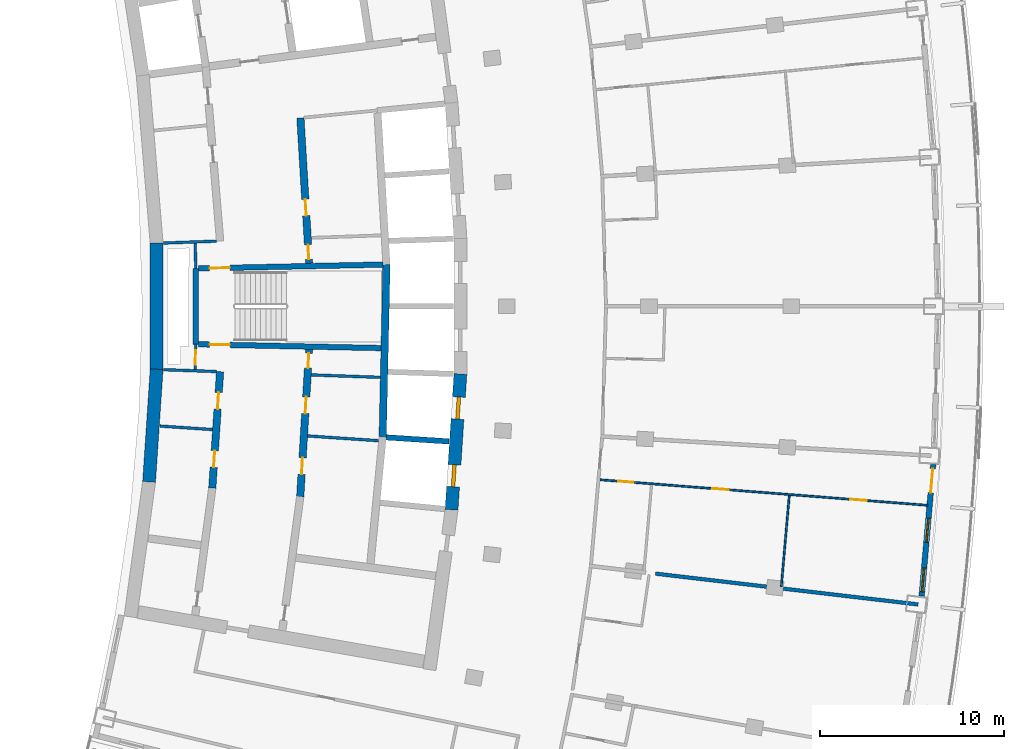
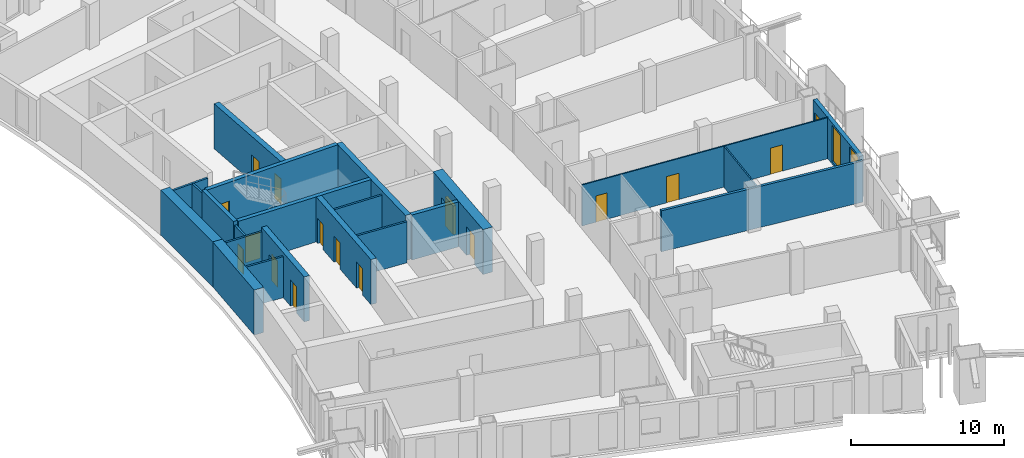
# One storey, part 13 of 20: 22 walls, 16 doors, 2 windows, 18 openings.
"""IFC4 building model written with IfcOpenShell, lengths in metres."""

from ifc_helpers import new_model, si_unit, direction, frame, frame_2d, origin, place, context, subcontext, project, spatial, rectangle, extrude, material, layer, layer_set, type_object, element, fill, save


model = new_model("IFC4")

# Units and contexts
model_context = context("Model", 3, precision=1e-05, world=origin(), true_north=direction((0.0, 1.0)))
body_context = subcontext(model_context, "Body", "Model", "MODEL_VIEW")
ifc_project = project(units=[si_unit("LENGTHUNIT", "METRE"), si_unit("AREAUNIT", "SQUARE_METRE"), si_unit("VOLUMEUNIT", "CUBIC_METRE"), si_unit("PLANEANGLEUNIT", "RADIAN"), si_unit("MASSUNIT", "GRAM", prefix="KILO")], contexts=[model_context])

# Site, building, storey
site_placement = place(None, origin())
site = spatial("IfcSite", under=ifc_project, at=site_placement, CompositionType="ELEMENT")
building_placement = place(site_placement, origin())
building = spatial("IfcBuilding", under=site, at=building_placement, Name="Alderwake Tower", CompositionType="ELEMENT")
storey_placement = place(building_placement, frame((0.0, 0.0, 178.39990234375)))
storey = spatial("IfcBuildingStorey", under=building, at=storey_placement, Name="L44", CompositionType="ELEMENT", Elevation=178.39990234375)

# Wall
ifc_material_1 = material(Name="Gypsum shaft wall system, rated")
ifc_layer_1 = layer(ifc_material_1, 0.14990234375)
ifc_layer_set_1 = layer_set([ifc_layer_1], Name="Core riser partition 150")
wall_type_1 = type_object("IfcWallType", Name="Core riser partition 150", PredefinedType="PARTITIONING", material=ifc_layer_set_1)
wall_1_placement = place(storey_placement, frame((25.1904296875, 57.276611328125, 0.0), z_axis=(0.0, 0.0, 1.0), x_axis=(0.99937350076, -0.035392173974, 0.0)))
element("IfcWall", 1, at=wall_1_placement, inside=storey, type_object=wall_type_1, Name="CW/L44/PR-37_+86", PredefinedType="PARTITIONING", context=body_context, shape_type="SweptSolid", body=[
    extrude(rectangle(XDim=3.752685546875, YDim=0.14990234375, at=frame_2d((1.87646484375, 0.0))), origin(), (0.0, 0.0, 1.0), 3.280029296875),
])

# Wall, opening, door
ifc_material_2 = material(Name="Gypsum shaft wall system, rated")
ifc_layer_2 = layer(ifc_material_2, 0.14990234375)
ifc_layer_set_2 = layer_set([ifc_layer_2], Name="Core room partition 150")
wall_type_2 = type_object("IfcWallType", Name="Core room partition 150", PredefinedType="PARTITIONING", material=ifc_layer_set_2)
wall_2_placement = place(storey_placement, frame((18.918701171875, 58.94384765625, 0.0), z_axis=(0.0, 0.0, 1.0), x_axis=(-0.027811602725, -0.999613182563, 0.0)))
wall_2 = element("IfcWall", 2, at=wall_2_placement, inside=storey, type_object=wall_type_2, Name="CW/L44/PA+24_-37", PredefinedType="PARTITIONING", context=body_context, shape_type="SweptSolid", body=[
    extrude(rectangle(XDim=1.369384765625, YDim=0.14990234375, at=frame_2d((0.6845703125, 0.0))), origin(), (0.0, 0.0, 1.0), 3.280029296875),
])
opening_1_placement = place(wall_2_placement, frame((0.322998046875, 0.0, 0.0)))
opening_1 = element("IfcOpeningElement", 3, at=opening_1_placement, cuts=wall_2, Name="Opening C004", PredefinedType="OPENING", context=body_context, shape_type="SweptSolid", body=[
    extrude(rectangle(XDim=0.800048828125, YDim=2.0, at=frame_2d((0.39990234375, 1.0))), frame((0.0, 0.0849609375, 0.0), z_axis=(0.0, -1.0, 0.0), x_axis=(1.0, 0.0, 0.0)), (0.0, 0.0, 1.0), 0.169921875),
])
ifc_material_3 = material(Name="Painted steel leaf, rated", Category="steel")
door_type_1 = type_object("IfcDoorType", Name="Riser access door 800", OperationType="SINGLE_SWING_LEFT", PredefinedType="DOOR", material=ifc_material_3)
door_1_placement = place(opening_1_placement, origin())
door_1 = element("IfcDoor", 4, at=door_1_placement, inside=storey, type_object=door_type_1, Name="Riser access door", OperationType="SINGLE_SWING_RIGHT", OverallHeight=2.0, OverallWidth=0.800048828125, PredefinedType="DOOR", context=body_context, shape_type="SweptSolid", body=[
    extrude(rectangle(XDim=0.800048828125, YDim=2.0, at=frame_2d((0.39990234375, 1.0))), frame((0.0, 0.02490234375, 0.0), z_axis=(0.0, -1.0, 0.0), x_axis=(1.0, 0.0, 0.0)), (0.0, 0.0, 1.0), 0.050048828125),
])
fill(opening_1, door_1)

# Walls
wall_3_placement = place(storey_placement, frame((18.918701171875, 63.05517578125, 0.0), z_axis=(0.0, 0.0, 1.0), x_axis=(-0.027791791559, 0.99961373356, 0.0)))
element("IfcWall", 5, at=wall_3_placement, inside=storey, type_object=wall_type_2, Name="CW/L44/PA+24_+22", PredefinedType="PARTITIONING", context=body_context, shape_type="SweptSolid", body=[
    extrude(rectangle(XDim=1.370361328125, YDim=0.14990234375, at=frame_2d((0.68505859375, 0.0))), origin(), (0.0, 0.0, 1.0), 3.280029296875),
])
wall_4_placement = place(storey_placement, frame((16.964111328125, 54.49951171875, 0.0), z_axis=(0.0, 0.0, 1.0), x_axis=(0.997759473015, -0.066903168895, 0.0)))
element("IfcWall", 6, at=wall_4_placement, inside=storey, type_object=wall_type_2, Name="CW/L44/PR-70_+0", PredefinedType="PARTITIONING", context=body_context, shape_type="SweptSolid", body=[
    extrude(rectangle(XDim=2.8681640625, YDim=0.14990234375, at=frame_2d((1.43408203125, 0.0))), origin(), (0.0, 0.0, 1.0), 3.280029296875),
])
wall_5_placement = place(storey_placement, frame((24.990234375, 53.96142578125, 0.0), z_axis=(0.0, 0.0, 1.0), x_axis=(0.997758824467, -0.06691284031, 0.0)))
element("IfcWall", 7, at=wall_5_placement, inside=storey, type_object=wall_type_2, Name="CW/L44/PR-70_+86", PredefinedType="PARTITIONING", context=body_context, shape_type="SweptSolid", body=[
    extrude(rectangle(XDim=3.86767578125, YDim=0.14990234375, at=frame_2d((1.933837890625, 0.0))), origin(), (0.0, 0.0, 1.0), 3.280029296875),
])
wall_6_placement = place(storey_placement, frame((17.169189453125, 57.560546875, 0.0), z_axis=(0.0, 0.0, 1.0), x_axis=(0.999373538371, -0.03539111194, 0.0)))
element("IfcWall", 8, at=wall_6_placement, inside=storey, type_object=wall_type_2, Name="CW/L44/PR-37_+0", PredefinedType="PARTITIONING", context=body_context, shape_type="SweptSolid", body=[
    extrude(rectangle(XDim=2.86962890625, YDim=0.14990234375, at=frame_2d((1.434814453125, 0.0))), origin(), (0.0, 0.0, 1.0), 3.280029296875),
])
wall_7_placement = place(storey_placement, frame((17.16943359375, 64.439453125, 0.0), z_axis=(0.0, 0.0, 1.0), x_axis=(0.999373431798, 0.035394121201, 0.0)))
element("IfcWall", 9, at=wall_7_placement, inside=storey, type_object=wall_type_2, Name="CW/L44/PR+37_+0", PredefinedType="PARTITIONING", context=body_context, shape_type="SweptSolid", body=[
    extrude(rectangle(XDim=2.869384765625, YDim=0.14990234375, at=frame_2d((1.4345703125, 0.0))), origin(), (0.0, 0.0, 1.0), 3.280029296875),
])
ifc_material_4 = material(Name="Concrete C70/85", Category="concrete")
ifc_layer_3 = layer(ifc_material_4, 0.699951171875)
ifc_layer_set_3 = layer_set([ifc_layer_3], Name="Core wall outer 700 C70-85")
wall_type_3 = type_object("IfcWallType", Name="Core wall outer 700 C70-85", PredefinedType="SHEAR", material=ifc_layer_set_3)
wall_8_placement = place(storey_placement, frame((16.379638671875, 51.46337890625, 0.0), z_axis=(0.0, 0.0, 1.0), x_axis=(0.066917731608, 0.997758496429, 0.0)))
element("IfcWall", 10, at=wall_8_placement, inside=storey, type_object=wall_type_3, Name="Core wall CW.041", PredefinedType="SHEAR", context=body_context, shape_type="SweptSolid", body=[
    extrude(rectangle(XDim=6.136474609375, YDim=0.699951171875, at=frame_2d((3.068359375, 0.0))), origin(), (0.0, 0.0, 1.0), 3.60009765625),
])
wall_9_placement = place(storey_placement, frame((16.789306640625, 57.561767578125, 0.0), z_axis=(0.0, 0.0, 1.0), x_axis=(0.0, 1.0, 0.0)))
element("IfcWall", 11, at=wall_9_placement, inside=storey, type_object=wall_type_3, Name="Core wall CW.043", PredefinedType="SHEAR", context=body_context, shape_type="SweptSolid", body=[
    extrude(rectangle(XDim=6.87939453125, YDim=0.699951171875, at=frame_2d((3.439697265625, 0.0))), origin(), (0.0, 0.0, 1.0), 3.60009765625),
])

# Wall, openings, doors
wall_10_placement = place(storey_placement, frame((32.810302734375, 49.9482421875, 0.0), z_axis=(0.0, 0.0, 1.0), x_axis=(0.065009096017, 0.99788467141, 0.0)))
wall_10 = element("IfcWall", 12, at=wall_10_placement, inside=storey, type_object=wall_type_3, Name="Core wall CW.011", PredefinedType="SHEAR", context=body_context, shape_type="SweptSolid", body=[
    extrude(rectangle(XDim=7.39453125, YDim=0.699951171875, at=frame_2d((3.697265625, 0.0))), origin(), (0.0, 0.0, 1.0), 3.60009765625),
])
opening_2_placement = place(wall_10_placement, frame((1.255126953125, 0.0, 0.0)))
opening_2 = element("IfcOpeningElement", 13, at=opening_2_placement, cuts=wall_10, Name="Opening LD-HP1", PredefinedType="OPENING", context=body_context, shape_type="SweptSolid", body=[
    extrude(rectangle(XDim=1.199951171875, YDim=2.300048828125, at=frame_2d((0.60009765625, 1.14990234375))), frame((0.0, 0.35986328125, 0.0), z_axis=(0.0, -1.0, 0.0), x_axis=(1.0, 0.0, 0.0)), (0.0, 0.0, 1.0), 0.719970703125),
])
opening_3_placement = place(wall_10_placement, frame((4.9404296875, 0.0, 0.0)))
opening_3 = element("IfcOpeningElement", 14, at=opening_3_placement, cuts=wall_10, Name="Opening LD-HP2", PredefinedType="OPENING", context=body_context, shape_type="SweptSolid", body=[
    extrude(rectangle(XDim=1.199951171875, YDim=2.300048828125, at=frame_2d((0.60009765625, 1.14990234375))), frame((0.0, 0.35986328125, 0.0), z_axis=(0.0, -1.0, 0.0), x_axis=(1.0, 0.0, 0.0)), (0.0, 0.0, 1.0), 0.719970703125),
])
ifc_material_5 = material(Name="Stainless steel sliding leaf", Category="steel")
door_type_2 = type_object("IfcDoorType", Name="Lift landing door 1200", OperationType="SLIDING_TO_LEFT", PredefinedType="DOOR", material=ifc_material_5)
door_2_placement = place(opening_2_placement, origin())
door_2 = element("IfcDoor", 15, at=door_2_placement, inside=storey, type_object=door_type_2, Name="Lift landing door HP1", OperationType="SLIDING_TO_LEFT", OverallHeight=2.300048828125, OverallWidth=1.199951171875, PredefinedType="DOOR", context=body_context, shape_type="SweptSolid", body=[
    extrude(rectangle(XDim=1.199951171875, YDim=2.300048828125, at=frame_2d((0.60009765625, 1.14990234375))), frame((0.0, 0.10009765625, 0.0), z_axis=(0.0, -1.0, 0.0), x_axis=(1.0, 0.0, 0.0)), (0.0, 0.0, 1.0), 0.199951171875),
])
fill(opening_2, door_2)
door_3_placement = place(opening_3_placement, origin())
door_3 = element("IfcDoor", 16, at=door_3_placement, inside=storey, type_object=door_type_2, Name="Lift landing door HP2", OperationType="SLIDING_TO_LEFT", OverallHeight=2.300048828125, OverallWidth=1.199951171875, PredefinedType="DOOR", context=body_context, shape_type="SweptSolid", body=[
    extrude(rectangle(XDim=1.199951171875, YDim=2.300048828125, at=frame_2d((0.60009765625, 1.14990234375))), frame((0.0, 0.10009765625, 0.0), z_axis=(0.0, -1.0, 0.0), x_axis=(1.0, 0.0, 0.0)), (0.0, 0.0, 1.0), 0.199951171875),
])
fill(opening_3, door_3)

# Wall
ifc_material_6 = material(Name="Concrete C70/85", Category="concrete")
ifc_layer_4 = layer(ifc_material_6, 0.300048828125)
ifc_layer_set_4 = layer_set([ifc_layer_4], Name="Core wall shaft 300 C70-85")
wall_type_4 = type_object("IfcWallType", Name="Core wall shaft 300 C70-85", PredefinedType="SHEAR", material=ifc_layer_set_4)
wall_11_placement = place(storey_placement, frame((29.268798828125, 53.884521484375, 0.0), z_axis=(0.0, 0.0, 1.0), x_axis=(0.997884450261, -0.065012490553, 0.0)))
element("IfcWall", 17, at=wall_11_placement, inside=storey, type_object=wall_type_4, Name="Core wall CW.078", PredefinedType="SHEAR", context=body_context, shape_type="SweptSolid", body=[
    extrude(rectangle(XDim=3.409912109375, YDim=0.300048828125, at=frame_2d((1.705078125, 0.0))), origin(), (0.0, 0.0, 1.0), 3.60009765625),
])

# Wall, openings, doors
ifc_material_7 = material(Name="Concrete C70/85", Category="concrete")
ifc_layer_5 = layer(ifc_material_7, 0.39990234375)
ifc_layer_set_5 = layer_set([ifc_layer_5], Name="Core wall spine 400 C70-85")
wall_type_5 = type_object("IfcWallType", Name="Core wall spine 400 C70-85", PredefinedType="SHEAR", material=ifc_layer_set_5)
wall_12_placement = place(storey_placement, frame((20.2373046875, 57.451904296875, 0.0), z_axis=(0.0, 0.0, 1.0), x_axis=(-0.066887252767, -0.997760540118, 0.0)))
wall_12 = element("IfcWall", 18, at=wall_12_placement, inside=storey, type_object=wall_type_5, Name="Core wall CW.032", PredefinedType="SHEAR", context=body_context, shape_type="SweptSolid", body=[
    extrude(rectangle(XDim=6.33642578125, YDim=0.39990234375, at=frame_2d((3.168212890625, 0.0))), origin(), (0.0, 0.0, 1.0), 3.60009765625),
])
opening_4_placement = place(wall_12_placement, frame((4.29736328125, 0.0, 0.0)))
opening_4 = element("IfcOpeningElement", 19, at=opening_4_placement, cuts=wall_12, Name="Opening C038", PredefinedType="OPENING", context=body_context, shape_type="SweptSolid", body=[
    extrude(rectangle(XDim=0.89990234375, YDim=2.10009765625, at=frame_2d((0.449951171875, 1.050048828125))), frame((0.0, 0.2099609375, 0.0), z_axis=(0.0, -1.0, 0.0), x_axis=(1.0, 0.0, 0.0)), (0.0, 0.0, 1.0), 0.419921875),
])
opening_5_placement = place(wall_12_placement, frame((1.132080078125, 0.0, 0.0)))
opening_5 = element("IfcOpeningElement", 20, at=opening_5_placement, cuts=wall_12, Name="Opening C042", PredefinedType="OPENING", context=body_context, shape_type="SweptSolid", body=[
    extrude(rectangle(XDim=0.89990234375, YDim=2.10009765625, at=frame_2d((0.449951171875, 1.050048828125))), frame((0.0, 0.2099609375, 0.0), z_axis=(0.0, -1.0, 0.0), x_axis=(1.0, 0.0, 0.0)), (0.0, 0.0, 1.0), 0.419921875),
])
ifc_material_8 = material(Name="Painted steel leaf", Category="steel")
door_type_3 = type_object("IfcDoorType", Name="Core room door 900", OperationType="SINGLE_SWING_LEFT", PredefinedType="DOOR", material=ifc_material_8)
door_4_placement = place(opening_4_placement, origin())
door_4 = element("IfcDoor", 21, at=door_4_placement, inside=storey, type_object=door_type_3, Name="Room door", OperationType="SINGLE_SWING_RIGHT", OverallHeight=2.10009765625, OverallWidth=0.89990234375, PredefinedType="DOOR", context=body_context, shape_type="SweptSolid", body=[
    extrude(rectangle(XDim=0.89990234375, YDim=2.10009765625, at=frame_2d((0.449951171875, 1.050048828125))), frame((0.0, 0.02490234375, 0.0), z_axis=(0.0, -1.0, 0.0), x_axis=(1.0, 0.0, 0.0)), (0.0, 0.0, 1.0), 0.050048828125),
])
fill(opening_4, door_4)
door_5_placement = place(opening_5_placement, origin())
door_5 = element("IfcDoor", 22, at=door_5_placement, inside=storey, type_object=door_type_3, Name="Room door", OperationType="SINGLE_SWING_LEFT", OverallHeight=2.10009765625, OverallWidth=0.89990234375, PredefinedType="DOOR", context=body_context, shape_type="SweptSolid", body=[
    extrude(rectangle(XDim=0.89990234375, YDim=2.10009765625, at=frame_2d((0.449951171875, 1.050048828125))), frame((0.0, 0.02490234375, 0.0), z_axis=(0.0, -1.0, 0.0), x_axis=(1.0, 0.0, 0.0)), (0.0, 0.0, 1.0), 0.050048828125),
])
fill(opening_5, door_5)

wall_13_placement = place(storey_placement, frame((24.590087890625, 50.656982421875, 0.0), z_axis=(0.0, 0.0, 1.0), x_axis=(0.060320473855, 0.99817906231, 0.0)))
wall_13 = element("IfcWall", 23, at=wall_13_placement, inside=storey, type_object=wall_type_5, Name="Core wall CW.046", PredefinedType="SHEAR", context=body_context, shape_type="SweptSolid", body=[
    extrude(rectangle(XDim=8.02197265625, YDim=0.39990234375, at=frame_2d((4.010986328125, 0.0))), origin(), (0.0, 0.0, 1.0), 3.60009765625),
])
opening_6_placement = place(wall_13_placement, frame((7.005859375, 0.0, 0.0)))
opening_6 = element("IfcOpeningElement", 24, at=opening_6_placement, cuts=wall_13, Name="Opening C006", PredefinedType="OPENING", context=body_context, shape_type="SweptSolid", body=[
    extrude(rectangle(XDim=0.800048828125, YDim=2.0, at=frame_2d((0.39990234375, 1.0))), frame((0.0, 0.2099609375, 0.0), z_axis=(0.0, -1.0, 0.0), x_axis=(1.0, 0.0, 0.0)), (0.0, 0.0, 1.0), 0.419921875),
])
opening_7_placement = place(wall_13_placement, frame((1.21533203125, 0.0, 0.0)))
opening_7 = element("IfcOpeningElement", 25, at=opening_7_placement, cuts=wall_13, Name="Opening C044", PredefinedType="OPENING", context=body_context, shape_type="SweptSolid", body=[
    extrude(rectangle(XDim=0.89990234375, YDim=2.10009765625, at=frame_2d((0.449951171875, 1.050048828125))), frame((0.0, 0.2099609375, 0.0), z_axis=(0.0, -1.0, 0.0), x_axis=(1.0, 0.0, 0.0)), (0.0, 0.0, 1.0), 0.419921875),
])
opening_8_placement = place(wall_13_placement, frame((4.53173828125, 0.0, 0.0)))
opening_8 = element("IfcOpeningElement", 26, at=opening_8_placement, cuts=wall_13, Name="Opening C048", PredefinedType="OPENING", context=body_context, shape_type="SweptSolid", body=[
    extrude(rectangle(XDim=0.89990234375, YDim=2.10009765625, at=frame_2d((0.449951171875, 1.050048828125))), frame((0.0, 0.2099609375, 0.0), z_axis=(0.0, -1.0, 0.0), x_axis=(1.0, 0.0, 0.0)), (0.0, 0.0, 1.0), 0.419921875),
])
door_6_placement = place(opening_7_placement, origin())
door_6 = element("IfcDoor", 27, at=door_6_placement, inside=storey, type_object=door_type_3, Name="Room door", OperationType="SINGLE_SWING_RIGHT", OverallHeight=2.10009765625, OverallWidth=0.89990234375, PredefinedType="DOOR", context=body_context, shape_type="SweptSolid", body=[
    extrude(rectangle(XDim=0.89990234375, YDim=2.10009765625, at=frame_2d((0.449951171875, 1.050048828125))), frame((0.0, 0.02490234375, 0.0), z_axis=(0.0, -1.0, 0.0), x_axis=(1.0, 0.0, 0.0)), (0.0, 0.0, 1.0), 0.050048828125),
])
fill(opening_7, door_6)
door_7_placement = place(opening_8_placement, origin())
door_7 = element("IfcDoor", 28, at=door_7_placement, inside=storey, type_object=door_type_3, Name="Room door", OperationType="SINGLE_SWING_LEFT", OverallHeight=2.10009765625, OverallWidth=0.89990234375, PredefinedType="DOOR", context=body_context, shape_type="SweptSolid", body=[
    extrude(rectangle(XDim=0.89990234375, YDim=2.10009765625, at=frame_2d((0.449951171875, 1.050048828125))), frame((0.0, 0.02490234375, 0.0), z_axis=(0.0, -1.0, 0.0), x_axis=(1.0, 0.0, 0.0)), (0.0, 0.0, 1.0), 0.050048828125),
])
fill(opening_8, door_7)
door_8_placement = place(opening_6_placement, origin())
door_8 = element("IfcDoor", 29, at=door_8_placement, inside=storey, type_object=door_type_1, Name="Riser access door", OperationType="SINGLE_SWING_RIGHT", OverallHeight=2.0, OverallWidth=0.800048828125, PredefinedType="DOOR", context=body_context, shape_type="SweptSolid", body=[
    extrude(rectangle(XDim=0.800048828125, YDim=2.0, at=frame_2d((0.39990234375, 1.0))), frame((0.0, 0.02490234375, 0.0), z_axis=(0.0, -1.0, 0.0), x_axis=(1.0, 0.0, 0.0)), (0.0, 0.0, 1.0), 0.050048828125),
])
fill(opening_6, door_8)

wall_14_placement = place(storey_placement, frame((25.073974609375, 63.335693359375, 0.0), z_axis=(0.0, 0.0, 1.0), x_axis=(-0.059848641072, 0.998207463487, 0.0)))
wall_14 = element("IfcWall", 30, at=wall_14_placement, inside=storey, type_object=wall_type_5, Name="Core wall CW.045", PredefinedType="SHEAR", context=body_context, shape_type="SweptSolid", body=[
    extrude(rectangle(XDim=7.913818359375, YDim=0.39990234375, at=frame_2d((3.95703125, 0.0))), origin(), (0.0, 0.0, 1.0), 3.60009765625),
])
opening_9_placement = place(wall_14_placement, frame((0.216064453125, 0.0, 0.0)))
opening_9 = element("IfcOpeningElement", 31, at=opening_9_placement, cuts=wall_14, Name="Opening C005", PredefinedType="OPENING", context=body_context, shape_type="SweptSolid", body=[
    extrude(rectangle(XDim=0.800048828125, YDim=2.0, at=frame_2d((0.39990234375, 1.0))), frame((0.0, 0.2099609375, 0.0), z_axis=(0.0, -1.0, 0.0), x_axis=(1.0, 0.0, 0.0)), (0.0, 0.0, 1.0), 0.419921875),
])
opening_10_placement = place(wall_14_placement, frame((2.590087890625, 0.0, 0.0)))
opening_10 = element("IfcOpeningElement", 32, at=opening_10_placement, cuts=wall_14, Name="Opening C057", PredefinedType="OPENING", context=body_context, shape_type="SweptSolid", body=[
    extrude(rectangle(XDim=0.89990234375, YDim=2.10009765625, at=frame_2d((0.449951171875, 1.050048828125))), frame((0.0, 0.2099609375, 0.0), z_axis=(0.0, -1.0, 0.0), x_axis=(1.0, 0.0, 0.0)), (0.0, 0.0, 1.0), 0.419921875),
])
door_9_placement = place(opening_10_placement, origin())
door_9 = element("IfcDoor", 33, at=door_9_placement, inside=storey, type_object=door_type_3, Name="Room door", OperationType="SINGLE_SWING_LEFT", OverallHeight=2.10009765625, OverallWidth=0.89990234375, PredefinedType="DOOR", context=body_context, shape_type="SweptSolid", body=[
    extrude(rectangle(XDim=0.89990234375, YDim=2.10009765625, at=frame_2d((0.449951171875, 1.050048828125))), frame((0.0, 0.02490234375, 0.0), z_axis=(0.0, -1.0, 0.0), x_axis=(1.0, 0.0, 0.0)), (0.0, 0.0, 1.0), 0.050048828125),
])
fill(opening_10, door_9)
door_10_placement = place(opening_9_placement, origin())
door_10 = element("IfcDoor", 34, at=door_10_placement, inside=storey, type_object=door_type_1, Name="Riser access door", OperationType="SINGLE_SWING_LEFT", OverallHeight=2.0, OverallWidth=0.800048828125, PredefinedType="DOOR", context=body_context, shape_type="SweptSolid", body=[
    extrude(rectangle(XDim=0.800048828125, YDim=2.0, at=frame_2d((0.39990234375, 1.0))), frame((0.0, 0.02490234375, 0.0), z_axis=(0.0, -1.0, 0.0), x_axis=(1.0, 0.0, 0.0)), (0.0, 0.0, 1.0), 0.050048828125),
])
fill(opening_9, door_10)

# Walls
wall_15_placement = place(storey_placement, frame((29.06884765625, 53.8896484375, 0.0), z_axis=(0.0, 0.0, 1.0), x_axis=(0.022115722908, 0.99975541749, 0.0)))
element("IfcWall", 35, at=wall_15_placement, inside=storey, type_object=wall_type_5, Name="Core wall CW.008", PredefinedType="SHEAR", context=body_context, shape_type="SweptSolid", body=[
    extrude(rectangle(XDim=9.394287109375, YDim=0.39990234375, at=frame_2d((4.697265625, 0.0))), origin(), (0.0, 0.0, 1.0), 3.60009765625),
])
ifc_material_9 = material(Name="Concrete C70/85", Category="concrete")
ifc_layer_6 = layer(ifc_material_9, 0.300048828125)
ifc_layer_set_6 = layer_set([ifc_layer_6], Name="Core wall stair enclosure 300 C70-85")
wall_type_6 = type_object("IfcWallType", Name="Core wall stair enclosure 300 C70-85", PredefinedType="SHEAR", material=ifc_layer_set_6)
wall_16_placement = place(storey_placement, frame((18.918701171875, 58.940673828125, 0.0), z_axis=(0.0, 0.0, 1.0), x_axis=(0.0, 1.0, 0.0)))
element("IfcWall", 36, at=wall_16_placement, inside=storey, type_object=wall_type_6, Name="Core wall CW.024", PredefinedType="SHEAR", context=body_context, shape_type="SweptSolid", body=[
    extrude(rectangle(XDim=4.11962890625, YDim=0.300048828125, at=frame_2d((2.059814453125, 0.0))), origin(), (0.0, 0.0, 1.0), 3.60009765625),
])

# Wall, opening, door
wall_17_placement = place(storey_placement, frame((28.975830078125, 58.733154296875, 0.0), z_axis=(0.0, 0.0, 1.0), x_axis=(-0.999783782948, 0.020793925895, 0.0)))
wall_17 = element("IfcWall", 37, at=wall_17_placement, inside=storey, type_object=wall_type_6, Name="Core wall CW.074", PredefinedType="SHEAR", context=body_context, shape_type="SweptSolid", body=[
    extrude(rectangle(XDim=9.909423828125, YDim=0.300048828125, at=frame_2d((4.95458984375, 0.0))), origin(), (0.0, 0.0, 1.0), 3.60009765625),
])
opening_11_placement = place(wall_17_placement, frame((8.20947265625, 0.0, 0.0)))
opening_11 = element("IfcOpeningElement", 38, at=opening_11_placement, cuts=wall_17, Name="Opening C063", PredefinedType="OPENING", context=body_context, shape_type="SweptSolid", body=[
    extrude(rectangle(XDim=1.10009765625, YDim=2.10009765625, at=frame_2d((0.550048828125, 1.050048828125))), frame((0.0, 0.159912109375, 0.0), z_axis=(0.0, -1.0, 0.0), x_axis=(1.0, 0.0, 0.0)), (0.0, 0.0, 1.0), 0.320068359375),
])
ifc_material_10 = material(Name="Steel-framed fire door leaf", Category="steel")
door_type_4 = type_object("IfcDoorType", Name="Core stair door 1100 fire-rated", OperationType="SINGLE_SWING_LEFT", PredefinedType="DOOR", material=ifc_material_10)
door_11_placement = place(opening_11_placement, origin())
door_11 = element("IfcDoor", 39, at=door_11_placement, inside=storey, type_object=door_type_4, Name="Stair door", OperationType="SINGLE_SWING_LEFT", OverallHeight=2.10009765625, OverallWidth=1.10009765625, PredefinedType="DOOR", context=body_context, shape_type="SweptSolid", body=[
    extrude(rectangle(XDim=1.10009765625, YDim=2.10009765625, at=frame_2d((0.550048828125, 1.050048828125))), frame((0.0, 0.02490234375, 0.0), z_axis=(0.0, -1.0, 0.0), x_axis=(1.0, 0.0, 0.0)), (0.0, 0.0, 1.0), 0.050048828125),
])
fill(opening_11, door_11)

wall_18_placement = place(storey_placement, frame((19.068603515625, 63.060791015625, 0.0), z_axis=(0.0, 0.0, 1.0), x_axis=(0.999783553773, 0.02080494185, 0.0)))
wall_18 = element("IfcWall", 40, at=wall_18_placement, inside=storey, type_object=wall_type_6, Name="Core wall CW.057", PredefinedType="SHEAR", context=body_context, shape_type="SweptSolid", body=[
    extrude(rectangle(XDim=10.009765625, YDim=0.300048828125, at=frame_2d((5.0048828125, 0.0))), origin(), (0.0, 0.0, 1.0), 3.60009765625),
])
opening_12_placement = place(wall_18_placement, frame((0.60009765625, 0.0, 0.0)))
opening_12 = element("IfcOpeningElement", 41, at=opening_12_placement, cuts=wall_18, Name="Opening C064", PredefinedType="OPENING", context=body_context, shape_type="SweptSolid", body=[
    extrude(rectangle(XDim=1.10009765625, YDim=2.10009765625, at=frame_2d((0.550048828125, 1.050048828125))), frame((0.0, 0.159912109375, 0.0), z_axis=(0.0, -1.0, 0.0), x_axis=(1.0, 0.0, 0.0)), (0.0, 0.0, 1.0), 0.320068359375),
])
door_12_placement = place(opening_12_placement, origin())
door_12 = element("IfcDoor", 42, at=door_12_placement, inside=storey, type_object=door_type_4, Name="Stair door", OperationType="SINGLE_SWING_RIGHT", OverallHeight=2.10009765625, OverallWidth=1.10009765625, PredefinedType="DOOR", context=body_context, shape_type="SweptSolid", body=[
    extrude(rectangle(XDim=1.10009765625, YDim=2.10009765625, at=frame_2d((0.550048828125, 1.050048828125))), frame((0.0, 0.02490234375, 0.0), z_axis=(0.0, -1.0, 0.0), x_axis=(1.0, 0.0, 0.0)), (0.0, 0.0, 1.0), 0.050048828125),
])
fill(opening_12, door_12)

# Wall, openings, door, windows
ifc_material_11 = material(Name="Precast concrete C50/60 spandrel panel", Category="concrete")
ifc_layer_7 = layer(ifc_material_11, 0.300048828125)
ifc_layer_set_7 = layer_set([ifc_layer_7], Name="External wall EW1 Precast concrete C50/60 spandrel")
wall_type_7 = type_object("IfcWallType", Name="External wall EW1 Precast concrete C50/60 spandrel", PredefinedType="SOLIDWALL", material=ifc_layer_set_7)
wall_19_placement = place(storey_placement, frame((58.3447265625, 45.26220703125, 0.0), z_axis=(0.0, 0.0, 1.0), x_axis=(0.087372493124, 0.99617571113, 0.0)))
wall_19 = element("IfcWall", 43, at=wall_19_placement, inside=storey, type_object=wall_type_7, Name="External wall 14", PredefinedType="SOLIDWALL", context=body_context, shape_type="SweptSolid", body=[
    extrude(rectangle(XDim=7.175537109375, YDim=0.300048828125, at=frame_2d((3.587890625, 0.0))), origin(), (0.0, 0.0, 1.0), 3.280029296875),
])
opening_13_placement = place(wall_19_placement, frame((0.2353515625, 0.0, 0.199951171875)))
opening_13 = element("IfcOpeningElement", 44, at=opening_13_placement, cuts=wall_19, Name="Opening W1", PredefinedType="OPENING", context=body_context, shape_type="SweptSolid", body=[
    extrude(rectangle(XDim=1.300048828125, YDim=2.89990234375, at=frame_2d((0.64990234375, 1.449951171875))), frame((0.0, 0.159912109375, 0.0), z_axis=(0.0, -1.0, 0.0), x_axis=(1.0, 0.0, 0.0)), (0.0, 0.0, 1.0), 0.320068359375),
])
opening_14_placement = place(wall_19_placement, frame((2.937744140625, 0.0, 0.199951171875)))
opening_14 = element("IfcOpeningElement", 45, at=opening_14_placement, cuts=wall_19, Name="Opening W1", PredefinedType="OPENING", context=body_context, shape_type="SweptSolid", body=[
    extrude(rectangle(XDim=1.300048828125, YDim=2.89990234375, at=frame_2d((0.64990234375, 1.449951171875))), frame((0.0, 0.159912109375, 0.0), z_axis=(0.0, -1.0, 0.0), x_axis=(1.0, 0.0, 0.0)), (0.0, 0.0, 1.0), 0.320068359375),
])
opening_15_placement = place(wall_19_placement, frame((5.64013671875, 0.0, 0.0)))
opening_15 = element("IfcOpeningElement", 46, at=opening_15_placement, cuts=wall_19, Name="Opening D03", PredefinedType="OPENING", context=body_context, shape_type="SweptSolid", body=[
    extrude(rectangle(XDim=1.300048828125, YDim=2.39990234375, at=frame_2d((0.64990234375, 1.199951171875))), frame((0.0, 0.159912109375, 0.0), z_axis=(0.0, -1.0, 0.0), x_axis=(1.0, 0.0, 0.0)), (0.0, 0.0, 1.0), 0.320068359375),
])
ifc_material_12 = material(Name="Bronze tinted glass in aluminium frame", Category="aluminium")
door_type_5 = type_object("IfcDoorType", Name="Balcony door BD sliding", OperationType="SLIDING_TO_LEFT", PredefinedType="DOOR", material=ifc_material_12)
door_13_placement = place(opening_15_placement, origin())
door_13 = element("IfcDoor", 47, at=door_13_placement, inside=storey, type_object=door_type_5, Name="Door D03", OperationType="SLIDING_TO_LEFT", OverallHeight=2.39990234375, OverallWidth=1.300048828125, PredefinedType="DOOR", context=body_context, shape_type="SweptSolid", body=[
    extrude(rectangle(XDim=1.300048828125, YDim=2.39990234375, at=frame_2d((0.64990234375, 1.199951171875))), frame((0.0, 0.02490234375, 0.0), z_axis=(0.0, -1.0, 0.0), x_axis=(1.0, 0.0, 0.0)), (0.0, 0.0, 1.0), 0.050048828125),
])
fill(opening_15, door_13)
ifc_material_13 = material(Name="Bronze tinted glass in aluminium frame", Category="aluminium")
window_type = type_object("IfcWindowType", Name="Window W1 tall fixed and vent", PartitioningType="DOUBLE_PANEL_VERTICAL", PredefinedType="WINDOW", material=ifc_material_13)
window_1_placement = place(opening_13_placement, origin())
window_1 = element("IfcWindow", 48, at=window_1_placement, inside=storey, type_object=window_type, Name="Window W1 tall fixed and vent", OverallHeight=2.89990234375, OverallWidth=1.300048828125, PartitioningType="DOUBLE_PANEL_VERTICAL", PredefinedType="WINDOW", context=body_context, shape_type="SweptSolid", body=[
    extrude(rectangle(XDim=1.300048828125, YDim=2.89990234375, at=frame_2d((0.64990234375, 1.449951171875))), frame((0.0, 0.030029296875, 0.0), z_axis=(0.0, -1.0, 0.0), x_axis=(1.0, 0.0, 0.0)), (0.0, 0.0, 1.0), 0.06005859375),
])
fill(opening_13, window_1)
window_2_placement = place(opening_14_placement, origin())
window_2 = element("IfcWindow", 49, at=window_2_placement, inside=storey, type_object=window_type, Name="Window W1 tall fixed and vent", OverallHeight=2.89990234375, OverallWidth=1.300048828125, PartitioningType="DOUBLE_PANEL_VERTICAL", PredefinedType="WINDOW", context=body_context, shape_type="SweptSolid", body=[
    extrude(rectangle(XDim=1.300048828125, YDim=2.89990234375, at=frame_2d((0.64990234375, 1.449951171875))), frame((0.0, 0.030029296875, 0.0), z_axis=(0.0, -1.0, 0.0), x_axis=(1.0, 0.0, 0.0)), (0.0, 0.0, 1.0), 0.06005859375),
])
fill(opening_14, window_2)

# Wall
ifc_material_14 = material(Name="Dense block masonry wall", Category="masonry")
ifc_layer_8 = layer(ifc_material_14, 0.199951171875)
ifc_layer_set_8 = layer_set([ifc_layer_8], Name="Party wall 200")
wall_type_8 = type_object("IfcWallType", Name="Party wall 200", PredefinedType="SOLIDWALL", material=ifc_layer_set_8)
wall_20_placement = place(storey_placement, frame((58.155029296875, 44.80810546875, 0.0), z_axis=(0.0, 0.0, 1.0), x_axis=(-0.993188942444, 0.11651491152, 0.0)))
element("IfcWall", 50, at=wall_20_placement, inside=storey, type_object=wall_type_8, Name="WL/L44/W04", PredefinedType="SOLIDWALL", context=body_context, shape_type="SweptSolid", body=[
    extrude(rectangle(XDim=14.367919921875, YDim=0.199951171875, at=frame_2d((7.18408203125, 0.0))), origin(), (0.0, 0.0, 1.0), 3.280029296875),
])

# Wall, openings, doors
ifc_material_15 = material(Name="Gypsum board on metal studs")
ifc_layer_9 = layer(ifc_material_15, 0.10009765625)
ifc_layer_set_9 = layer_set([ifc_layer_9], Name="Unit partition 100")
wall_type_9 = type_object("IfcWallType", Name="Unit partition 100", PredefinedType="PARTITIONING", material=ifc_layer_set_9)
wall_21_placement = place(storey_placement, frame((58.677001953125, 50.193115234375, 0.0), z_axis=(0.0, 0.0, 1.0), x_axis=(-0.996973704915, 0.077739511879, 0.0)))
wall_21 = element("IfcWall", 51, at=wall_21_placement, inside=storey, type_object=wall_type_9, Name="WL/L44/W53", PredefinedType="PARTITIONING", context=body_context, shape_type="SweptSolid", body=[
    extrude(rectangle(XDim=17.863037109375, YDim=0.10009765625, at=frame_2d((8.931640625, 0.0))), origin(), (0.0, 0.0, 1.0), 3.280029296875),
])
opening_16_placement = place(wall_21_placement, frame((10.841796875, 0.0, 0.0)))
opening_16 = element("IfcOpeningElement", 52, at=opening_16_placement, cuts=wall_21, Name="Opening R12-U04.1", PredefinedType="OPENING", context=body_context, shape_type="SweptSolid", body=[
    extrude(rectangle(XDim=0.89990234375, YDim=2.10009765625, at=frame_2d((0.449951171875, 1.050048828125))), frame((0.0, 0.06005859375, 0.0), z_axis=(0.0, -1.0, 0.0), x_axis=(1.0, 0.0, 0.0)), (0.0, 0.0, 1.0), 0.1201171875),
])
opening_17_placement = place(wall_21_placement, frame((16.0537109375, 0.0, 0.0)))
opening_17 = element("IfcOpeningElement", 53, at=opening_17_placement, cuts=wall_21, Name="Opening R12-U04.3", PredefinedType="OPENING", context=body_context, shape_type="SweptSolid", body=[
    extrude(rectangle(XDim=0.800048828125, YDim=2.10009765625, at=frame_2d((0.39990234375, 1.050048828125))), frame((0.0, 0.06005859375, 0.0), z_axis=(0.0, -1.0, 0.0), x_axis=(1.0, 0.0, 0.0)), (0.0, 0.0, 1.0), 0.1201171875),
])
opening_18_placement = place(wall_21_placement, frame((3.320068359375, 0.0, 0.0)))
opening_18 = element("IfcOpeningElement", 54, at=opening_18_placement, cuts=wall_21, Name="Opening R12-U04.4", PredefinedType="OPENING", context=body_context, shape_type="SweptSolid", body=[
    extrude(rectangle(XDim=0.89990234375, YDim=2.10009765625, at=frame_2d((0.449951171875, 1.050048828125))), frame((0.0, 0.06005859375, 0.0), z_axis=(0.0, -1.0, 0.0), x_axis=(1.0, 0.0, 0.0)), (0.0, 0.0, 1.0), 0.1201171875),
])
ifc_material_16 = material(Name="Painted timber leaf", Category="wood")
door_type_6 = type_object("IfcDoorType", Name="Bathroom door 800", OperationType="SINGLE_SWING_LEFT", PredefinedType="DOOR", material=ifc_material_16)
door_14_placement = place(opening_17_placement, origin())
door_14 = element("IfcDoor", 55, at=door_14_placement, inside=storey, type_object=door_type_6, Name="DR/L44/U04.3", OperationType="SINGLE_SWING_LEFT", OverallHeight=2.10009765625, OverallWidth=0.800048828125, PredefinedType="DOOR", context=body_context, shape_type="SweptSolid", body=[
    extrude(rectangle(XDim=0.800048828125, YDim=2.10009765625, at=frame_2d((0.39990234375, 1.050048828125))), frame((0.0, 0.02490234375, 0.0), z_axis=(0.0, -1.0, 0.0), x_axis=(1.0, 0.0, 0.0)), (0.0, 0.0, 1.0), 0.050048828125),
])
fill(opening_17, door_14)
ifc_material_17 = material(Name="Painted timber leaf", Category="wood")
door_type_7 = type_object("IfcDoorType", Name="Room door 900", OperationType="SINGLE_SWING_LEFT", PredefinedType="DOOR", material=ifc_material_17)
door_15_placement = place(opening_16_placement, origin())
door_15 = element("IfcDoor", 56, at=door_15_placement, inside=storey, type_object=door_type_7, Name="DR/L44/U04.1", OperationType="SINGLE_SWING_LEFT", OverallHeight=2.10009765625, OverallWidth=0.89990234375, PredefinedType="DOOR", context=body_context, shape_type="SweptSolid", body=[
    extrude(rectangle(XDim=0.89990234375, YDim=2.10009765625, at=frame_2d((0.449951171875, 1.050048828125))), frame((0.0, 0.02490234375, 0.0), z_axis=(0.0, -1.0, 0.0), x_axis=(1.0, 0.0, 0.0)), (0.0, 0.0, 1.0), 0.050048828125),
])
fill(opening_16, door_15)
door_16_placement = place(opening_18_placement, origin())
door_16 = element("IfcDoor", 57, at=door_16_placement, inside=storey, type_object=door_type_7, Name="DR/L44/U04.4", OperationType="SINGLE_SWING_LEFT", OverallHeight=2.10009765625, OverallWidth=0.89990234375, PredefinedType="DOOR", context=body_context, shape_type="SweptSolid", body=[
    extrude(rectangle(XDim=0.89990234375, YDim=2.10009765625, at=frame_2d((0.449951171875, 1.050048828125))), frame((0.0, 0.02490234375, 0.0), z_axis=(0.0, -1.0, 0.0), x_axis=(1.0, 0.0, 0.0)), (0.0, 0.0, 1.0), 0.050048828125),
])
fill(opening_18, door_16)

# Wall
wall_22_placement = place(storey_placement, frame((50.720703125, 45.78076171875, 0.0), z_axis=(0.0, 0.0, 1.0), x_axis=(0.087352937881, 0.996177426086, 0.0)))
element("IfcWall", 58, at=wall_22_placement, inside=storey, type_object=wall_type_9, Name="WL/L44/W54", PredefinedType="PARTITIONING", context=body_context, shape_type="SweptSolid", body=[
    extrude(rectangle(XDim=4.966552734375, YDim=0.10009765625, at=frame_2d((2.4833984375, 0.0))), origin(), (0.0, 0.0, 1.0), 3.280029296875),
])

save(model, "model.ifc")
